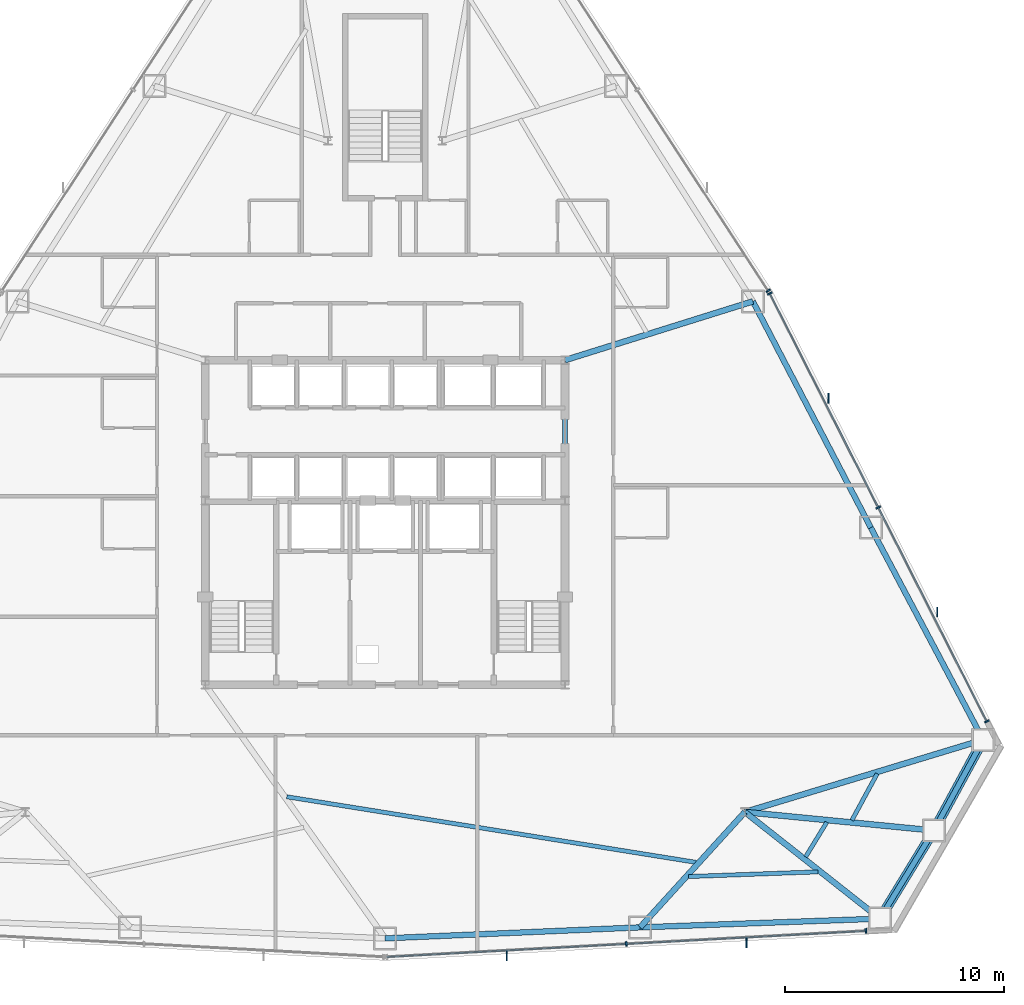
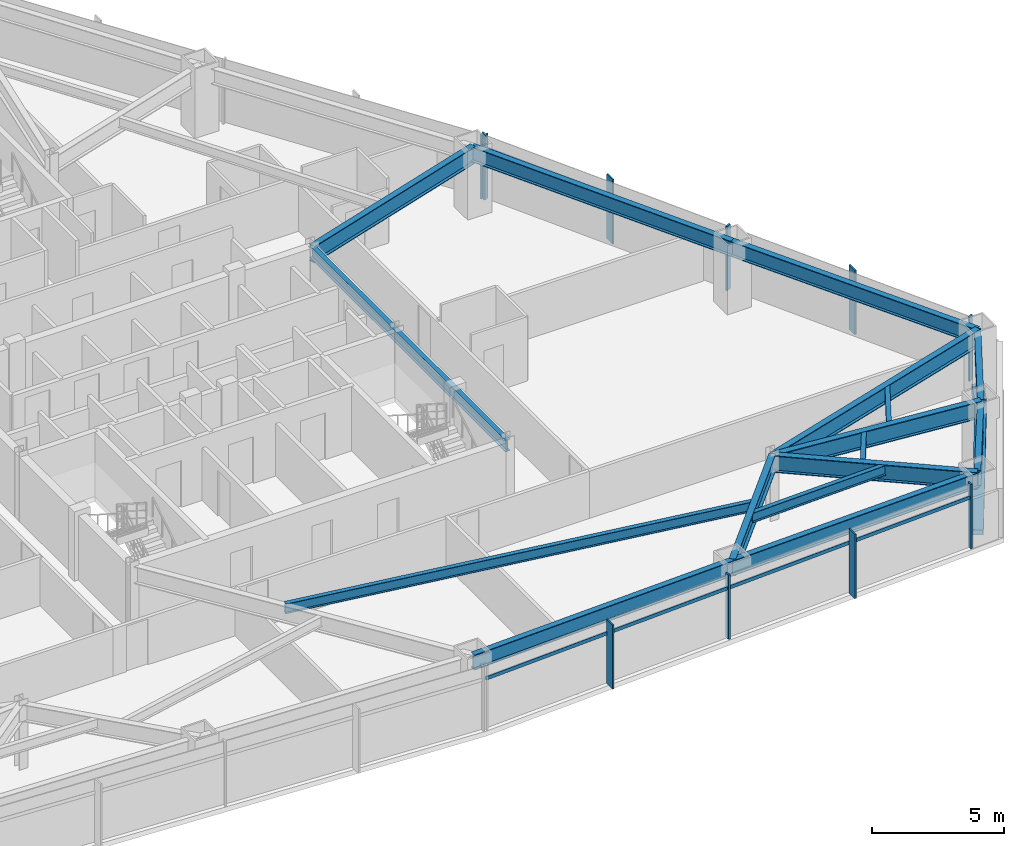
# One storey, part 6 of 12: 16 beams, 14 members, 3 elements without a shape of their own.
"""IFC4 building model written with IfcOpenShell, lengths in metres."""

import ifcopenshell
import ifcopenshell.guid

model = None  # the IFC model being written
_history = None  # IfcOwnerHistory: only IFC2X3 demands one
_inside = {}  # id of a spatial element -> (the spatial element, [elements in it])
_under = {}  # id of a project, library or spatial element -> (it, [spatial elements below it])
_declared = {}  # id of a project -> (the project, [libraries it declares])
_typed = {}  # id of a type object -> (the type object, [elements of that type])
_made_of = {}  # id of a material, layer set ... -> (it, [elements and type objects made of it])


def new_model(schema):
    """Start an empty IFC model of exactly this schema.

    Asked for "IFC4X3", IfcOpenShell would pick the latest addendum, in which some entities
    have other attributes; the version numbers below select the first issue.
    IFC2X3 requires an IfcOwnerHistory on every rooted entity: one is made here for all.
    """
    global model, _history
    if schema == "IFC4X3":
        model = ifcopenshell.file(schema_version=(4, 3, 0, 0))
    else:
        model = ifcopenshell.file(schema=schema)
    _inside.clear()
    _under.clear()
    _declared.clear()
    _typed.clear()
    _made_of.clear()
    _history = None
    if model.schema == "IFC2X3":
        org = make("IfcOrganization", Name="unknown")
        user = make(
            "IfcPersonAndOrganization",
            ThePerson=make("IfcPerson", FamilyName="unknown"),
            TheOrganization=org,
        )
        app = make(
            "IfcApplication",
            ApplicationDeveloper=org,
            Version="unknown",
            ApplicationFullName="unknown",
            ApplicationIdentifier="unknown",
        )
        _history = make(
            "IfcOwnerHistory",
            OwningUser=user,
            OwningApplication=app,
            ChangeAction="ADDED",
            CreationDate=0,
        )
    return model


def make(cls, **values):
    """One entity of the class cls with the attributes given. An attribute that is None is left unset."""
    return model.create_entity(
        cls, **{name: value for name, value in values.items() if value is not None}
    )


def rooted(cls, **values):
    """An entity with a GlobalId (a new one), such as an element, a storey or a relation."""
    return make(cls, GlobalId=ifcopenshell.guid.new(), OwnerHistory=_history, **values)


def si_unit(unit_type, name, prefix=None):
    """IfcSIUnit, for example si_unit("LENGTHUNIT", "METRE", prefix="MILLI")."""
    return make("IfcSIUnit", UnitType=unit_type, Prefix=prefix, Name=name)


def assignment(units):
    """IfcUnitAssignment: the units of a project."""
    return None if units is None else make("IfcUnitAssignment", Units=units)


def point(xyz):
    """IfcCartesianPoint."""
    return None if xyz is None else make("IfcCartesianPoint", Coordinates=xyz)


def direction(xyz):
    """IfcDirection."""
    return None if xyz is None else make("IfcDirection", DirectionRatios=xyz)


def frame(location, z_axis=None, x_axis=None):
    """IfcAxis2Placement3D, a coordinate frame: its origin and axes. An axis left out is left unset."""
    return make(
        "IfcAxis2Placement3D",
        Location=point(location),
        Axis=direction(z_axis),
        RefDirection=direction(x_axis),
    )


def frame_2d(location, x_axis=None):
    """IfcAxis2Placement2D, a coordinate frame in the plane: its origin and x axis."""
    return make(
        "IfcAxis2Placement2D", Location=point(location), RefDirection=direction(x_axis)
    )


def origin():
    """The frame at (0, 0, 0) with its axes left unset."""
    return frame((0.0, 0.0, 0.0))


def origin_2d():
    """The frame at (0, 0) in the plane with its x axis left unset."""
    return frame_2d((0.0, 0.0))


def place(relative_to, where):
    """IfcLocalPlacement: puts the frame where relative to a parent placement (None: the world)."""
    return make(
        "IfcLocalPlacement", PlacementRelTo=relative_to, RelativePlacement=where
    )


def context(
    kind, dimensions, precision=None, world=None, true_north=None, identifier=None
):
    """IfcGeometricRepresentationContext, for example the 3D "Model" context."""
    return make(
        "IfcGeometricRepresentationContext",
        ContextIdentifier=identifier,
        ContextType=kind,
        CoordinateSpaceDimension=dimensions,
        Precision=precision,
        WorldCoordinateSystem=world,
        TrueNorth=true_north,
    )


def subcontext(parent, identifier, kind, view, scale=None):
    """IfcGeometricRepresentationSubContext, for example "Body" below "Model"."""
    return make(
        "IfcGeometricRepresentationSubContext",
        ContextIdentifier=identifier,
        ContextType=kind,
        ParentContext=parent,
        TargetScale=scale,
        TargetView=view,
    )


def project(units=None, contexts=None):
    """IfcProject with its units and contexts."""
    return rooted(
        "IfcProject",
        Name="project",
        RepresentationContexts=contexts,
        UnitsInContext=assignment(units),
    )


def spatial(cls, under=None, at=None, **own):
    """A site, building, storey or space (cls), placed at a placement, below another one or the project."""
    s = rooted(cls, ObjectPlacement=at, **own)
    if under is not None:
        _under.setdefault(under.id(), (under, []))[1].append(s)
    return s


def profile(cls, at=None, kind="AREA", **sizes):
    """A parametric profile (cls). Its sizes go by their IFC names, for example OverallWidth=200.0."""
    return make(cls, ProfileType=kind, Position=at, **sizes)


def rectangle(**sizes):
    """IfcRectangleProfileDef."""
    return profile("IfcRectangleProfileDef", **sizes)


def hollow_rectangle(**sizes):
    """IfcRectangleHollowProfileDef."""
    return profile("IfcRectangleHollowProfileDef", **sizes)


def i_section(**sizes):
    """IfcIShapeProfileDef."""
    return profile("IfcIShapeProfileDef", **sizes)


def extrude(swept, where, along, depth):
    """IfcExtrudedAreaSolid: the profile swept, set in the frame where, extruded along a direction by depth."""
    return make(
        "IfcExtrudedAreaSolid",
        SweptArea=swept,
        Position=where,
        ExtrudedDirection=direction(along),
        Depth=depth,
    )


def shape(context_of_items, identifier, shape_type, items):
    """IfcShapeRepresentation: the items that make up one representation, for example the "Body"."""
    return make(
        "IfcShapeRepresentation",
        ContextOfItems=context_of_items,
        RepresentationIdentifier=identifier,
        RepresentationType=shape_type,
        Items=items,
    )


def source(mapping_origin, context_of_items, identifier, shape_type, items):
    """IfcRepresentationMap: a shape defined once, which mapped items show again and again."""
    return make(
        "IfcRepresentationMap",
        MappingOrigin=mapping_origin,
        MappedRepresentation=shape(context_of_items, identifier, shape_type, items),
    )


def transform(
    local_origin,
    x_axis=None,
    y_axis=None,
    z_axis=None,
    scale=None,
    scale2=None,
    scale3=None,
    uniform=True,
):
    """IfcCartesianTransformationOperator3D, or its non-uniform kind. x_axis, y_axis, z_axis: its Axis1, 2, 3."""
    if uniform:
        return make(
            "IfcCartesianTransformationOperator3D",
            Axis1=direction(x_axis),
            Axis2=direction(y_axis),
            LocalOrigin=point(local_origin),
            Scale=scale,
            Axis3=direction(z_axis),
        )
    return make(
        "IfcCartesianTransformationOperator3DnonUniform",
        Axis1=direction(x_axis),
        Axis2=direction(y_axis),
        LocalOrigin=point(local_origin),
        Scale=scale,
        Axis3=direction(z_axis),
        Scale2=scale2,
        Scale3=scale3,
    )


def mapped(mapping_source, mapping_target):
    """IfcMappedItem: shows the shape of a source again, moved by a transform."""
    return make(
        "IfcMappedItem", MappingSource=mapping_source, MappingTarget=mapping_target
    )


def material(Name=None, Category=None):
    """IfcMaterial."""
    return make("IfcMaterial", Name=Name, Category=Category)


def layer(
    of_material, thickness, ventilated=None, Name=None, Category=None, Priority=None
):
    """IfcMaterialLayer: one layer of a wall or slab, of a material (None: an air gap)."""
    return make(
        "IfcMaterialLayer",
        Material=of_material,
        LayerThickness=thickness,
        IsVentilated=ventilated,
        Name=Name,
        Category=Category,
        Priority=Priority,
    )


def layer_set(layers, Name=None):
    """IfcMaterialLayerSet."""
    return make("IfcMaterialLayerSet", MaterialLayers=layers, LayerSetName=Name)


def material_profile(
    of_material, cross_section, Name=None, Category=None, Priority=None
):
    """IfcMaterialProfile: a cross section and its material."""
    return make(
        "IfcMaterialProfile",
        Name=Name,
        Material=of_material,
        Profile=cross_section,
        Priority=Priority,
        Category=Category,
    )


def profile_set(profiles, Name=None, composite=None):
    """IfcMaterialProfileSet."""
    return make(
        "IfcMaterialProfileSet",
        Name=Name,
        MaterialProfiles=profiles,
        CompositeProfile=composite,
    )


def made_of(thing, what):
    """Note that an element or type object is made of a material, layer set ...; save() writes the relation."""
    if what is not None:
        _made_of.setdefault(what.id(), (what, []))[1].append(thing)
    return thing


def type_object(cls, material=None, **own):
    """A type object (cls), such as IfcWallType, which elements share."""
    return made_of(rooted(cls, **own), material)


def type_shapes(of_type, sources):
    """Give a type object the sources (RepresentationMaps) that its elements show as mapped items."""
    of_type.RepresentationMaps = sources


def element(
    cls,
    number,
    at=None,
    inside=None,
    cuts=None,
    type_object=None,
    material=None,
    context=None,
    identifier="Body",
    shape_type=None,
    held_by="IfcProductDefinitionShape",
    body=None,
    shapes=None,
    **own,
):
    """One element of the class cls, such as IfcWall. Its Tag is "e" and its number.

    at: its placement. inside: the storey or other place that contains it. cuts: it is an
    opening in that element (IfcRelVoidsElement). A single representation is given by context,
    identifier, shape_type and body (its items); several are given by shapes. held_by: the class
    of the entity that holds the representations. save() writes the other relations.
    """
    e = rooted(cls, Tag="e%d" % number, ObjectPlacement=at, **own)
    if body is not None:
        shapes = [shape(context, identifier, shape_type, body)]
    if shapes is not None:
        e.Representation = make(held_by, Representations=shapes)
    if inside is not None:
        _inside.setdefault(inside.id(), (inside, []))[1].append(e)
    if cuts is not None:
        rooted(
            "IfcRelVoidsElement", RelatingBuildingElement=cuts, RelatedOpeningElement=e
        )
    if type_object is not None:
        _typed.setdefault(type_object.id(), (type_object, []))[1].append(e)
    return made_of(e, material)


def aggregate(whole, parts):
    """IfcRelAggregates: a whole, such as a stair, and the parts it consists of."""
    return rooted("IfcRelAggregates", RelatingObject=whole, RelatedObjects=parts)


def save(model, path):
    """Write the relations noted so far, then the file.

    IfcRelAggregates (storeys below a building ...), IfcRelContainedInSpatialStructure (elements
    in a storey), IfcRelDefinesByType, IfcRelAssociatesMaterial and IfcRelDeclares: one each for
    every whole, place, type object, material and project.
    """
    for whole, parts in _under.values():
        aggregate(whole, parts)
    for where, things in _inside.values():
        rooted(
            "IfcRelContainedInSpatialStructure",
            RelatedElements=things,
            RelatingStructure=where,
        )
    for kind, things in _typed.values():
        rooted("IfcRelDefinesByType", RelatedObjects=things, RelatingType=kind)
    for what, things in _made_of.values():
        rooted("IfcRelAssociatesMaterial", RelatedObjects=things, RelatingMaterial=what)
    for by, libraries in _declared.values():
        rooted("IfcRelDeclares", RelatingContext=by, RelatedDefinitions=libraries)
    model.write(path)


model = new_model("IFC4")

# Units and contexts
model_context = context("Model", 3, precision=1e-05, world=origin(), true_north=direction((0.0, 1.0)))
body_context = subcontext(model_context, "Body", "Model", "MODEL_VIEW")
ifc_project = project(units=[si_unit("LENGTHUNIT", "METRE"), si_unit("AREAUNIT", "SQUARE_METRE"), si_unit("VOLUMEUNIT", "CUBIC_METRE"), si_unit("PLANEANGLEUNIT", "RADIAN"), si_unit("MASSUNIT", "GRAM", prefix="KILO")], contexts=[model_context])

# Site, building, storey
site_placement = place(None, origin())
site = spatial("IfcSite", under=ifc_project, at=site_placement, CompositionType="ELEMENT")
building_placement = place(site_placement, origin())
building = spatial("IfcBuilding", under=site, at=building_placement, Name="Varakhsha Concourse Tower", CompositionType="ELEMENT")
storey_placement = place(building_placement, frame((0.0, 0.0, 79.800048828125)))
storey = spatial("IfcBuildingStorey", under=building, at=storey_placement, Name="L22", CompositionType="ELEMENT", Elevation=79.800048828125)

# Beams
ifc_material_1 = material(Name="Structural Steel ASTM A992 Grade 50", Category="steel")
ifc_material_profile_1 = material_profile(ifc_material_1, i_section(OverallWidth=0.26611328125, OverallDepth=0.779052734375, WebThickness=0.01708984375, FlangeThickness=0.030029296875, at=origin_2d()), Name="W30X148")
ifc_profile_set_1 = profile_set([ifc_material_profile_1], Name="Structural Steel ASTM A992 Grade 50")
beam_type_1 = type_object("IfcBeamType", Name="BM-BASE-W30X148", PredefinedType="USERDEFINED", material=ifc_profile_set_1)
beam_1_placement = place(storey_placement, frame((56.39990234375, 10.60009765625, 2.58056640625), z_axis=(-0.672691612759, -0.739922964993, 0.0), x_axis=(0.739922964993, -0.672691612759, 0.0)))
element("IfcBeam", 1, at=beam_1_placement, inside=storey, type_object=beam_type_1, Name="L22 Radial Floor Girder 12", ObjectType="GIRDER", PredefinedType="USERDEFINED", context=body_context, shape_type="SweptSolid", body=[
    extrude(i_section(OverallWidth=0.26611328125, OverallDepth=0.779052734375, WebThickness=0.01708984375, FlangeThickness=0.030029296875, at=origin_2d()), origin(), (0.0, 0.0, 1.0), 7.10302734375),
])
beam_2_placement = place(storey_placement, frame((56.39990234375, 10.60009765625, 2.58056640625), z_axis=(0.78494889691, -0.619560512976, 0.0), x_axis=(0.619560512976, 0.78494889691, 0.0)))
element("IfcBeam", 2, at=beam_2_placement, inside=storey, type_object=beam_type_1, Name="L22 Radial Floor Girder 13", ObjectType="GIRDER", PredefinedType="USERDEFINED", context=body_context, shape_type="SweptSolid", body=[
    extrude(i_section(OverallWidth=0.26611328125, OverallDepth=0.779052734375, WebThickness=0.01708984375, FlangeThickness=0.030029296875, at=origin_2d()), origin(), (0.0, 0.0, 1.0), 7.8427734375),
])
beam_3_placement = place(storey_placement, frame((56.39990234375, 10.60009765625, 2.58056640625), z_axis=(0.995263322747, -0.097215834071, 0.0), x_axis=(0.097215834071, 0.995263322747, 0.0)))
element("IfcBeam", 3, at=beam_3_placement, inside=storey, type_object=beam_type_1, Name="L22 Radial Floor Girder 14", ObjectType="GIRDER", PredefinedType="USERDEFINED", context=body_context, shape_type="SweptSolid", body=[
    extrude(i_section(OverallWidth=0.26611328125, OverallDepth=0.779052734375, WebThickness=0.01708984375, FlangeThickness=0.030029296875, at=origin_2d()), origin(), (0.0, 0.0, 1.0), 8.654052734375),
])
beam_4_placement = place(storey_placement, frame((56.39990234375, 10.60009765625, 2.58056640625), z_axis=(0.9569458756, 0.290266414131, 0.0), x_axis=(-0.290266414131, 0.9569458756, 0.0)))
element("IfcBeam", 4, at=beam_4_placement, inside=storey, type_object=beam_type_1, Name="L22 Radial Floor Girder 15", ObjectType="GIRDER", PredefinedType="USERDEFINED", context=body_context, shape_type="SweptSolid", body=[
    extrude(i_section(OverallWidth=0.26611328125, OverallDepth=0.779052734375, WebThickness=0.01708984375, FlangeThickness=0.030029296875, at=origin_2d()), origin(), (0.0, 0.0, 1.0), 11.35302734375),
])
beam_5_placement = place(storey_placement, frame((48.199951171875, 31.199951171875, 2.58056640625), z_axis=(0.954407321853, 0.298507393532, 0.0), x_axis=(-0.298507393532, 0.954407321853, 0.0)))
element("IfcBeam", 5, at=beam_5_placement, inside=storey, type_object=beam_type_1, Name="L22 Radial Floor Girder 17", ObjectType="GIRDER", PredefinedType="USERDEFINED", context=body_context, shape_type="SweptSolid", body=[
    extrude(i_section(OverallWidth=0.26611328125, OverallDepth=0.779052734375, WebThickness=0.01708984375, FlangeThickness=0.030029296875, at=origin_2d()), origin(), (0.0, 0.0, 1.0), 8.97216796875),
])
ifc_material_profile_2 = material_profile(ifc_material_1, i_section(OverallWidth=0.19091796875, OverallDepth=0.45703125, WebThickness=0.009033203125, FlangeThickness=0.013916015625, at=origin_2d()), Name="W18X50")
ifc_profile_set_2 = profile_set([ifc_material_profile_2], Name="Structural Steel ASTM A992 Grade 50")
beam_type_2 = type_object("IfcBeamType", Name="BM-JST-W18X50", PredefinedType="JOIST", material=ifc_profile_set_2)
beam_6_placement = place(storey_placement, frame((35.5166015625, 11.2978515625, 2.741455078125), z_axis=(0.987396525677, -0.158265918886, 0.0), x_axis=(0.158265918886, 0.987396525677, 0.0)))
element("IfcBeam", 6, at=beam_6_placement, inside=storey, type_object=beam_type_2, Name="BM-TJST-L22-11", PredefinedType="JOIST", context=body_context, shape_type="SweptSolid", body=[
    extrude(i_section(OverallWidth=0.19091796875, OverallDepth=0.45703125, WebThickness=0.009033203125, FlangeThickness=0.013916015625, at=origin_2d()), origin(), (0.0, 0.0, 1.0), 18.91064453125),
])
beam_7_placement = place(storey_placement, frame((53.834228515625, 7.660888671875, 2.741455078125), z_axis=(0.999342904679, 0.036245811721, 0.0), x_axis=(-0.036245811721, 0.999342904679, 0.0)))
element("IfcBeam", 7, at=beam_7_placement, inside=storey, type_object=beam_type_2, Name="BM-TJST-L22-12", PredefinedType="JOIST", context=body_context, shape_type="SweptSolid", body=[
    extrude(i_section(OverallWidth=0.19091796875, OverallDepth=0.45703125, WebThickness=0.009033203125, FlangeThickness=0.013916015625, at=origin_2d()), origin(), (0.0, 0.0, 1.0), 5.9072265625),
])
beam_8_placement = place(storey_placement, frame((59.166015625, 8.555908203125, 2.741455078125), z_axis=(0.521727239591, 0.853112353368, 0.0), x_axis=(-0.853112353368, 0.521727239591, 0.0)))
element("IfcBeam", 8, at=beam_8_placement, inside=storey, type_object=beam_type_2, Name="BM-TJST-L22-13", PredefinedType="JOIST", context=body_context, shape_type="SweptSolid", body=[
    extrude(i_section(OverallWidth=0.19091796875, OverallDepth=0.45703125, WebThickness=0.009033203125, FlangeThickness=0.013916015625, at=origin_2d()), origin(), (0.0, 0.0, 1.0), 1.85205078125),
])
beam_9_placement = place(storey_placement, frame((61.27587890625, 10.2255859375, 2.741455078125), z_axis=(0.478009855634, 0.878354471678, 0.0), x_axis=(-0.878354471678, 0.478009855634, 0.0)))
element("IfcBeam", 9, at=beam_9_placement, inside=storey, type_object=beam_type_2, Name="BM-TJST-L22-14", PredefinedType="JOIST", context=body_context, shape_type="SweptSolid", body=[
    extrude(i_section(OverallWidth=0.19091796875, OverallDepth=0.45703125, WebThickness=0.009033203125, FlangeThickness=0.013916015625, at=origin_2d()), origin(), (0.0, 0.0, 1.0), 2.417236328125),
])
ifc_material_profile_3 = material_profile(ifc_material_1, i_section(OverallWidth=0.2109375, OverallDepth=0.5390625, WebThickness=0.011962890625, FlangeThickness=0.01904296875, at=origin_2d()), Name="W21X73")
ifc_profile_set_3 = profile_set([ifc_material_profile_3], Name="Structural Steel ASTM A992 Grade 50")
beam_type_3 = type_object("IfcBeamType", Name="BM-RAD-W21X73", PredefinedType="BEAM", material=ifc_profile_set_3)
beam_10_placement = place(storey_placement, frame((48.199951171875, 16.39990234375, 2.700439453125), z_axis=(0.0, 1.0, 0.0), x_axis=(-1.0, 0.0, 0.0)))
element("IfcBeam", 10, at=beam_10_placement, inside=storey, type_object=beam_type_3, Name="BM-TCORE-L22-CE", PredefinedType="BEAM", context=body_context, shape_type="SweptSolid", body=[
    extrude(i_section(OverallWidth=0.2109375, OverallDepth=0.5390625, WebThickness=0.011962890625, FlangeThickness=0.01904296875, at=origin_2d()), origin(), (0.0, 0.0, 1.0), 14.800048828125),
])
ifc_material_profile_4 = material_profile(ifc_material_1, i_section(OverallWidth=0.25390625, OverallDepth=0.701904296875, WebThickness=0.014892578125, FlangeThickness=0.028076171875, at=origin_2d()), Name="W27X129")
ifc_profile_set_4 = profile_set([ifc_material_profile_4], Name="Structural Steel ASTM A992 Grade 50")
beam_type_4 = type_object("IfcBeamType", Name="BM-SPAN-W27X129", PredefinedType="SPANDREL", material=ifc_profile_set_4)
beam_11_placement = place(storey_placement, frame((40.0, 4.84375, 2.618896484375), z_axis=(0.999073109275, 0.043045584251, 0.0), x_axis=(-0.043045584251, 0.999073109275, 0.0)))
element("IfcBeam", 11, at=beam_11_placement, inside=storey, type_object=beam_type_4, Name="BM-SPAN-L22-11", PredefinedType="SPANDREL", context=body_context, shape_type="SweptSolid", body=[
    extrude(i_section(OverallWidth=0.25390625, OverallDepth=0.701904296875, WebThickness=0.014892578125, FlangeThickness=0.028076171875, at=origin_2d()), origin(), (0.0, 0.0, 1.0), 11.632568359375),
])
beam_12_placement = place(storey_placement, frame((51.621826171875, 5.344482421875, 2.618896484375), z_axis=(0.999343234849, 0.036236707379, 0.0), x_axis=(-0.036236707379, 0.999343234849, 0.0)))
element("IfcBeam", 12, at=beam_12_placement, inside=storey, type_object=beam_type_4, Name="BM-SPAN-L22-12", PredefinedType="SPANDREL", context=body_context, shape_type="SweptSolid", body=[
    extrude(i_section(OverallWidth=0.25390625, OverallDepth=0.701904296875, WebThickness=0.014892578125, FlangeThickness=0.028076171875, at=origin_2d()), origin(), (0.0, 0.0, 1.0), 10.94140625),
])
beam_13_placement = place(storey_placement, frame((62.55615234375, 5.740966796875, 2.618896484375), z_axis=(0.521674363238, 0.853144688046, 0.0), x_axis=(-0.853144688046, 0.521674363238, 0.0)))
element("IfcBeam", 13, at=beam_13_placement, inside=storey, type_object=beam_type_4, Name="BM-SPAN-L22-13", PredefinedType="SPANDREL", context=body_context, shape_type="SweptSolid", body=[
    extrude(i_section(OverallWidth=0.25390625, OverallDepth=0.701904296875, WebThickness=0.014892578125, FlangeThickness=0.028076171875, at=origin_2d()), origin(), (0.0, 0.0, 1.0), 4.70947265625),
])
beam_14_placement = place(storey_placement, frame((65.012939453125, 9.7587890625, 2.618896484375), z_axis=(0.478005647914, 0.878356761551, 0.0), x_axis=(-0.878356761551, 0.478005647914, 0.0)))
element("IfcBeam", 14, at=beam_14_placement, inside=storey, type_object=beam_type_4, Name="BM-SPAN-L22-14", PredefinedType="SPANDREL", context=body_context, shape_type="SweptSolid", body=[
    extrude(i_section(OverallWidth=0.25390625, OverallDepth=0.701904296875, WebThickness=0.014892578125, FlangeThickness=0.028076171875, at=origin_2d()), origin(), (0.0, 0.0, 1.0), 4.709716796875),
])
beam_15_placement = place(storey_placement, frame((67.26416015625, 13.8955078125, 2.618896484375), z_axis=(-0.46832133516, 0.88355821938, 0.0), x_axis=(-0.88355821938, -0.46832133516, 0.0)))
element("IfcBeam", 15, at=beam_15_placement, inside=storey, type_object=beam_type_4, Name="BM-SPAN-L22-15", PredefinedType="SPANDREL", context=body_context, shape_type="SweptSolid", body=[
    extrude(i_section(OverallWidth=0.25390625, OverallDepth=0.701904296875, WebThickness=0.014892578125, FlangeThickness=0.028076171875, at=origin_2d()), origin(), (0.0, 0.0, 1.0), 10.941162109375),
])
beam_16_placement = place(storey_placement, frame((62.14013671875, 23.562744140625, 2.618896484375), z_axis=(-0.46224393277, 0.886752810324, 0.0), x_axis=(-0.886752810324, -0.46224393277, 0.0)))
element("IfcBeam", 16, at=beam_16_placement, inside=storey, type_object=beam_type_4, Name="BM-SPAN-L22-16", PredefinedType="SPANDREL", context=body_context, shape_type="SweptSolid", body=[
    extrude(i_section(OverallWidth=0.25390625, OverallDepth=0.701904296875, WebThickness=0.014892578125, FlangeThickness=0.028076171875, at=origin_2d()), origin(), (0.0, 0.0, 1.0), 11.6328125),
])

# Members
ifc_material_2 = material(Name="Structural Steel ASTM A500 Grade C", Category="steel")
ifc_material_profile_5 = material_profile(ifc_material_2, hollow_rectangle(XDim=0.449951171875, YDim=0.449951171875, WallThickness=0.01904296875, at=origin_2d()), Name="HSS 450x450x19")
ifc_profile_set_5 = profile_set([ifc_material_profile_5], Name="Structural Steel ASTM A500 Grade C")
member_type_1 = type_object("IfcMemberType", Name="MB-TUBE-HSS450", PredefinedType="BRACE", material=ifc_profile_set_5)
shared_shape_1 = source(origin(), body_context, "Body", "SweptSolid", [
    extrude(hollow_rectangle(XDim=0.449951171875, YDim=0.449951171875, WallThickness=0.01904296875, at=origin_2d()), origin(), (0.0, 0.0, 1.0), 5.35546875),
])
member_1_placement = place(storey_placement, frame((62.55615234375, 5.740966796875, 0.119873046875), z_axis=(0.458740401684, 0.750222676192, 0.476154575732), x_axis=(-0.853144688046, 0.521674363238, 0.0)))
element("IfcMember", 17, at=member_1_placement, inside=storey, type_object=member_type_1, Name="L22 Wind-Corner Tube Brace B05", PredefinedType="BRACE", context=body_context, shape_type="MappedRepresentation", body=[
    mapped(shared_shape_1, transform((0.0, 0.0, 0.0), scale=1.0)),
])
shared_shape_2 = source(origin(), body_context, "Body", "SweptSolid", [
    extrude(hollow_rectangle(XDim=0.449951171875, YDim=0.449951171875, WallThickness=0.01904296875, at=origin_2d()), origin(), (0.0, 0.0, 1.0), 5.355712890625),
])
type_shapes(member_type_1, [shared_shape_1, shared_shape_2])
member_2_placement = place(storey_placement, frame((67.26416015625, 13.8955078125, 0.119873046875), z_axis=(-0.420343544228, -0.772400066523, 0.4761401496), x_axis=(0.878356761551, -0.478005647914, 0.0)))
element("IfcMember", 18, at=member_2_placement, inside=storey, type_object=member_type_1, Name="L22 Wind-Corner Tube Brace B06", PredefinedType="BRACE", context=body_context, shape_type="MappedRepresentation", body=[
    mapped(shared_shape_2, transform((0.0, 0.0, 0.0), scale=1.0)),
])

# Curtain wall, member
ifc_material_3 = material(Name="Anodised Bronze Architectural Aluminium AA 6063-T6", Category="aluminium")
ifc_layer = layer(ifc_material_3, 0.199951171875, Name="CW-SYS-03")
ifc_layer_set = layer_set([ifc_layer], Name="Anodised Bronze Architectural Aluminium AA 6063-T6")
curtain_wall_type = type_object("IfcCurtainWallType", Name="CW-SYS-03", PredefinedType="NOTDEFINED", material=ifc_layer_set)
curtain_wall_1_placement = place(storey_placement, origin())
curtain_wall_1 = element("IfcCurtainWall", 19, at=curtain_wall_1_placement, inside=storey, type_object=curtain_wall_type, Name="L22 Crystal Curtain Wall F6", PredefinedType="NOTDEFINED")
ifc_material_profile_6 = material_profile(ifc_material_3, rectangle(XDim=0.06494140625, YDim=0.159912109375, at=origin_2d()), Name="CWT-160X65")
ifc_profile_set_6 = profile_set([ifc_material_profile_6], Name="Anodised Bronze Architectural Aluminium AA 6063-T6")
member_type_2 = type_object("IfcMemberType", Name="CWT-160X65", PredefinedType="USERDEFINED", material=ifc_profile_set_6)
shared_shape_3 = source(origin(), body_context, "Body", "SweptSolid", [
    extrude(rectangle(XDim=0.06494140625, YDim=0.159912109375, at=origin_2d()), origin(), (0.0, 0.0, 1.0), 21.87353515625),
])
member_3_placement = place(storey_placement, frame((61.91259765625, 5.1826171875, 2.320068359375), z_axis=(-0.998527064655, -0.054255885865, 0.0), x_axis=(0.054255885865, -0.998527064655, 0.0)))
member_3 = element("IfcMember", 20, at=member_3_placement, type_object=member_type_2, Name="CW-L22-F6 Transom 01", ObjectType="TRANSOM", PredefinedType="USERDEFINED", context=body_context, shape_type="MappedRepresentation", body=[
    mapped(shared_shape_3, transform((0.0, 0.0, 0.0), scale=1.0)),
])

curtain_wall_2_placement = place(storey_placement, origin())
curtain_wall_2 = element("IfcCurtainWall", 21, at=curtain_wall_2_placement, inside=storey, type_object=curtain_wall_type, Name="L22 Crystal Curtain Wall F8", PredefinedType="NOTDEFINED")
shared_shape_4 = source(origin(), body_context, "Body", "SweptSolid", [
    extrude(rectangle(XDim=0.06494140625, YDim=0.159912109375, at=origin_2d()), origin(), (0.0, 0.0, 1.0), 21.873779296875),
])
type_shapes(member_type_2, [shared_shape_3, shared_shape_4])
member_4_placement = place(storey_placement, frame((57.532958984375, 34.240478515625, 2.320068359375), z_axis=(0.452269221252, -0.891881467185, 0.0), x_axis=(0.891881467185, 0.452269221252, 0.0)))
member_4 = element("IfcMember", 22, at=member_4_placement, type_object=member_type_2, Name="CW-L22-F8 Transom 01", ObjectType="TRANSOM", PredefinedType="USERDEFINED", context=body_context, shape_type="MappedRepresentation", body=[
    mapped(shared_shape_4, transform((0.0, 0.0, 0.0), scale=1.0)),
])

# Member
ifc_material_profile_7 = material_profile(ifc_material_3, rectangle(XDim=0.074951171875, YDim=0.219970703125, at=origin_2d()), Name="CWM-220X75")
ifc_profile_set_7 = profile_set([ifc_material_profile_7], Name="Anodised Bronze Architectural Aluminium AA 6063-T6")
member_type_3 = type_object("IfcMemberType", Name="CWM-220X75", PredefinedType="MULLION", material=ifc_profile_set_7)
shared_shape_5 = source(origin(), body_context, "Body", "SweptSolid", [
    extrude(rectangle(XDim=0.074951171875, YDim=0.219970703125, at=origin_2d()), origin(), (0.0, 0.0, 1.0), 2.969970703125),
])
type_shapes(member_type_3, [shared_shape_5])
member_5_placement = place(storey_placement, frame((61.91259765625, 5.1826171875, 0.0), z_axis=(0.0, 0.0, 1.0), x_axis=(-0.998527027199, -0.054256575203, 0.0)))
member_5 = element("IfcMember", 23, at=member_5_placement, type_object=member_type_3, Name="CW-L22-F6 Mullion 00", PredefinedType="MULLION", context=body_context, shape_type="MappedRepresentation", body=[
    mapped(shared_shape_5, transform((0.0, 0.0, 0.0), scale=1.0)),
])

member_6_placement = place(storey_placement, frame((50.991943359375, 4.58935546875, 0.0), z_axis=(0.0, 0.0, 1.0), x_axis=(-0.998527027199, -0.054256575203, 0.0)))
member_6 = element("IfcMember", 24, at=member_6_placement, type_object=member_type_3, Name="CW-L22-F6 Mullion 01", PredefinedType="MULLION", context=body_context, shape_type="MappedRepresentation", body=[
    mapped(shared_shape_5, transform((0.0, 0.0, 0.0), scale=1.0)),
])

member_7_placement = place(storey_placement, frame((57.532958984375, 34.240478515625, 0.0), z_axis=(0.0, 0.0, 1.0), x_axis=(0.45227438453, -0.891878848891, 0.0)))
member_7 = element("IfcMember", 25, at=member_7_placement, type_object=member_type_3, Name="CW-L22-F8 Mullion 00", PredefinedType="MULLION", context=body_context, shape_type="MappedRepresentation", body=[
    mapped(shared_shape_5, transform((0.0, 0.0, 0.0), scale=1.0)),
])

member_8_placement = place(storey_placement, frame((62.479248046875, 24.486083984375, 0.0), z_axis=(0.0, 0.0, 1.0), x_axis=(0.45227438453, -0.891878848891, 0.0)))
member_8 = element("IfcMember", 26, at=member_8_placement, type_object=member_type_3, Name="CW-L22-F8 Mullion 01", PredefinedType="MULLION", context=body_context, shape_type="MappedRepresentation", body=[
    mapped(shared_shape_5, transform((0.0, 0.0, 0.0), scale=1.0)),
])

member_9_placement = place(storey_placement, frame((67.42578125, 14.731689453125, 0.0), z_axis=(0.0, 0.0, 1.0), x_axis=(0.45227438453, -0.891878848891, 0.0)))
member_9 = element("IfcMember", 27, at=member_9_placement, type_object=member_type_3, Name="CW-L22-F8 Mullion 02", PredefinedType="MULLION", context=body_context, shape_type="MappedRepresentation", body=[
    mapped(shared_shape_5, transform((0.0, 0.0, 0.0), scale=1.0)),
])

# Curtain wall, member
curtain_wall_3_placement = place(storey_placement, origin())
curtain_wall_3 = element("IfcCurtainWall", 28, at=curtain_wall_3_placement, inside=storey, type_object=curtain_wall_type, Name="L22 Crystal Curtain Wall F9", PredefinedType="NOTDEFINED")
member_10_placement = place(storey_placement, frame((57.461669921875, 34.36376953125, 0.0), z_axis=(0.0, 0.0, 1.0), x_axis=(0.546249624122, -0.837622437705, 0.0)))
member_10 = element("IfcMember", 29, at=member_10_placement, type_object=member_type_3, Name="CW-L22-F9 Mullion 02", PredefinedType="MULLION", context=body_context, shape_type="MappedRepresentation", body=[
    mapped(shared_shape_5, transform((0.0, 0.0, 0.0), scale=1.0)),
])
aggregate(curtain_wall_3, [member_10])

# Member
ifc_material_profile_8 = material_profile(ifc_material_3, rectangle(XDim=0.06494140625, YDim=0.449951171875, at=origin_2d()), Name="FIN-BRZ-450")
ifc_profile_set_8 = profile_set([ifc_material_profile_8], Name="Anodised Bronze Architectural Aluminium AA 6063-T6")
member_type_4 = type_object("IfcMemberType", Name="FIN-BRZ-450", PredefinedType="USERDEFINED", material=ifc_profile_set_8)
shared_shape_6 = source(origin(), body_context, "Body", "SweptSolid", [
    extrude(rectangle(XDim=0.06494140625, YDim=0.449951171875, at=origin_2d()), origin(), (0.0, 0.0, 1.0), 2.969970703125),
])
type_shapes(member_type_4, [shared_shape_6])
member_11_placement = place(storey_placement, frame((56.46533203125, 4.646484375, 0.0), z_axis=(0.0, 0.0, 1.0), x_axis=(1.0, 0.0, 0.0)))
member_11 = element("IfcMember", 30, at=member_11_placement, type_object=member_type_4, Name="L22 Anodised Bronze Solar Fin F6-1", ObjectType="SOLAR FIN", PredefinedType="USERDEFINED", context=body_context, shape_type="MappedRepresentation", body=[
    mapped(shared_shape_6, transform((0.0, 0.0, 0.0), scale=1.0)),
])

member_12_placement = place(storey_placement, frame((45.544677734375, 4.052978515625, 0.0), z_axis=(0.0, 0.0, 1.0), x_axis=(1.0, 0.0, 0.0)))
member_12 = element("IfcMember", 31, at=member_12_placement, type_object=member_type_4, Name="L22 Anodised Bronze Solar Fin F6-2", ObjectType="SOLAR FIN", PredefinedType="USERDEFINED", context=body_context, shape_type="MappedRepresentation", body=[
    mapped(shared_shape_6, transform((0.0, 0.0, 0.0), scale=1.0)),
])

aggregate(curtain_wall_1, [member_5, member_6, member_3, member_11, member_12])

member_13_placement = place(storey_placement, frame((60.22021484375, 29.4716796875, 0.0), z_axis=(0.0, 0.0, 1.0), x_axis=(1.0, 0.0, 0.0)))
member_13 = element("IfcMember", 32, at=member_13_placement, type_object=member_type_4, Name="L22 Anodised Bronze Solar Fin F8-1", ObjectType="SOLAR FIN", PredefinedType="USERDEFINED", context=body_context, shape_type="MappedRepresentation", body=[
    mapped(shared_shape_6, transform((0.0, 0.0, 0.0), scale=1.0)),
])

member_14_placement = place(storey_placement, frame((65.16650390625, 19.71728515625, 0.0), z_axis=(0.0, 0.0, 1.0), x_axis=(1.0, 0.0, 0.0)))
member_14 = element("IfcMember", 33, at=member_14_placement, type_object=member_type_4, Name="L22 Anodised Bronze Solar Fin F8-2", ObjectType="SOLAR FIN", PredefinedType="USERDEFINED", context=body_context, shape_type="MappedRepresentation", body=[
    mapped(shared_shape_6, transform((0.0, 0.0, 0.0), scale=1.0)),
])

aggregate(curtain_wall_2, [member_7, member_8, member_9, member_4, member_13, member_14])

save(model, "model.ifc")
